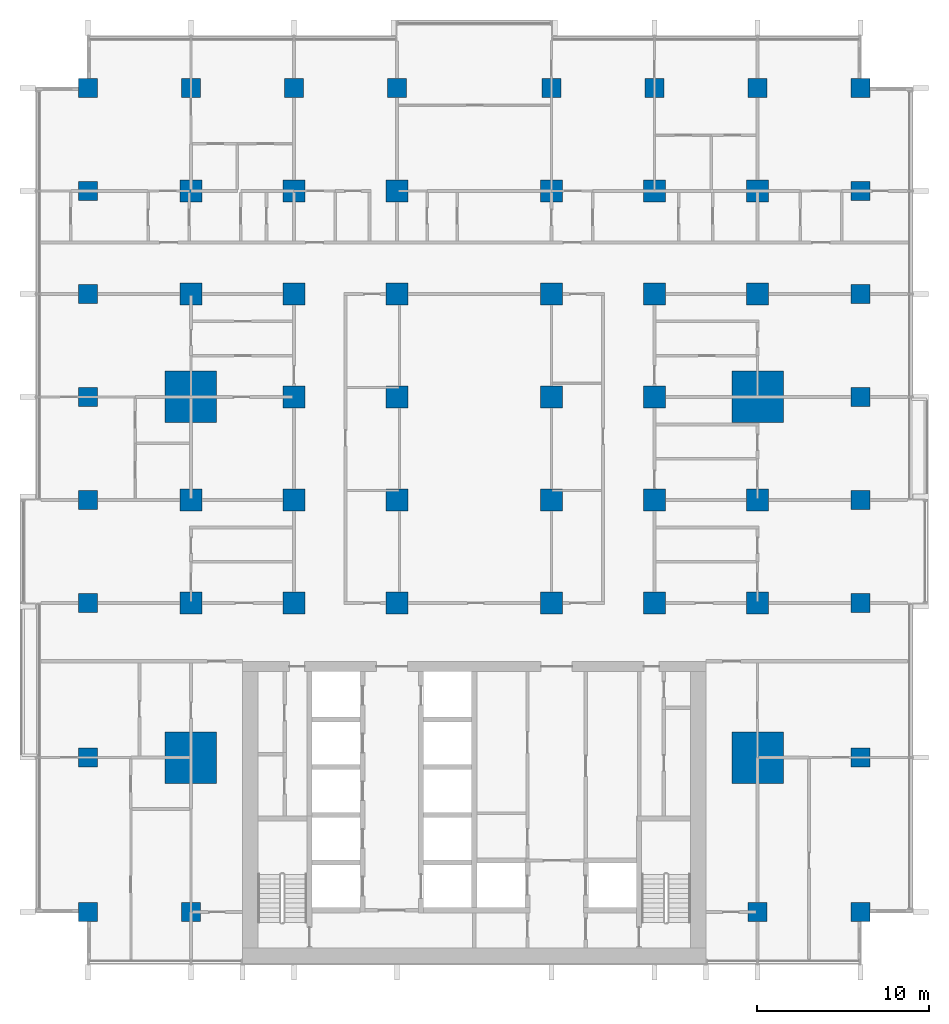
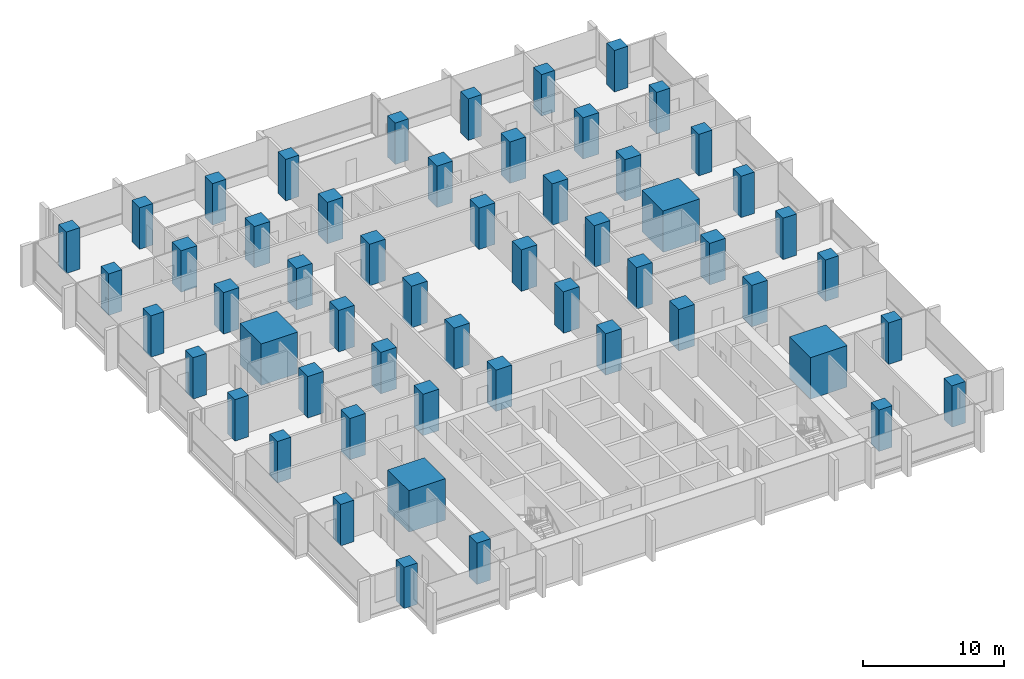
# One storey, part 1 of 18: 56 columns.
"""IFC4 building model written with IfcOpenShell, lengths in metres."""

from ifc_helpers import new_model, si_unit, direction, frame, origin, origin_2d, place, context, subcontext, project, spatial, rectangle, extrude, material, material_profile, profile_set, type_object, element, save


model = new_model("IFC4")

# Units and contexts
model_context = context("Model", 3, precision=1e-05, world=origin(), true_north=direction((0.0, 1.0)))
body_context = subcontext(model_context, "Body", "Model", "MODEL_VIEW")
ifc_project = project(units=[si_unit("LENGTHUNIT", "METRE"), si_unit("AREAUNIT", "SQUARE_METRE"), si_unit("VOLUMEUNIT", "CUBIC_METRE"), si_unit("PLANEANGLEUNIT", "RADIAN"), si_unit("MASSUNIT", "GRAM", prefix="KILO")], contexts=[model_context])

# Site, building, storey
site_placement = place(None, origin())
site = spatial("IfcSite", under=ifc_project, at=site_placement, CompositionType="ELEMENT")
building_placement = place(site_placement, origin())
building = spatial("IfcBuilding", under=site, at=building_placement, Name="Finial Court Residences", CompositionType="ELEMENT")
storey_placement = place(building_placement, frame((0.0, 0.0, 43.300048828125)))
storey = spatial("IfcBuildingStorey", under=building, at=storey_placement, Name="L09", CompositionType="ELEMENT", Elevation=43.300048828125)

# Columns
ifc_material = material(Name="Concrete C80/95", Category="concrete")
ifc_material_profile_1 = material_profile(ifc_material, rectangle(XDim=1.300048828125, YDim=1.300048828125, at=origin_2d()), Name="1300x1300")
ifc_profile_set_1 = profile_set([ifc_material_profile_1], Name="Concrete C80/95")
column_type_1 = type_object("IfcColumnType", Name="Interior column 1300x1300 Concrete C80/95", PredefinedType="COLUMN", material=ifc_profile_set_1)
for number, where, z_axis, x_axis, name in (
    (1, (-16.5, -4.5, 0.0), (0.0, 0.0, 1.0), (1.0, 0.0, 0.0), "S:COL:L09:C4"),
    (2, (-16.5, 1.5, 0.0), (0.0, 0.0, 1.0), (1.0, 0.0, 0.0), "S:COL:L09:C5"),
    (3, (-16.5, 13.5, 0.0), (0.0, 0.0, 1.0), (1.0, 0.0, 0.0), "S:COL:L09:C7"),
    (4, (-16.5, 19.5, 0.0), (0.0, 0.0, 1.0), (1.0, 0.0, 0.0), "S:COL:L09:C8"),
    (5, (-10.5, -4.5, 0.0), (0.0, 0.0, 1.0), (1.0, 0.0, 0.0), "S:COL:L09:D4"),
    (6, (-10.5, 1.5, 0.0), (0.0, 0.0, 1.0), (1.0, 0.0, 0.0), "S:COL:L09:D5"),
    (7, (-10.5, 7.5, 0.0), (0.0, 0.0, 1.0), (1.0, 0.0, 0.0), "S:COL:L09:D6"),
    (8, (-10.5, 13.5, 0.0), (0.0, 0.0, 1.0), (1.0, 0.0, 0.0), "S:COL:L09:D7"),
    (9, (-10.5, 19.5, 0.0), (0.0, 0.0, 1.0), (1.0, 0.0, 0.0), "S:COL:L09:D8"),
    (10, (-4.5, -4.5, 0.0), (0.0, 0.0, 1.0), (1.0, 0.0, 0.0), "S:COL:L09:E4"),
    (11, (-4.5, 1.5, 0.0), (0.0, 0.0, 1.0), (1.0, 0.0, 0.0), "S:COL:L09:E5"),
    (12, (-4.5, 7.5, 0.0), (0.0, 0.0, 1.0), (1.0, 0.0, 0.0), "S:COL:L09:E6"),
    (13, (-4.5, 13.5, 0.0), (0.0, 0.0, 1.0), (1.0, 0.0, 0.0), "S:COL:L09:E7"),
    (14, (-4.5, 19.5, 0.0), (0.0, 0.0, 1.0), (1.0, 0.0, 0.0), "S:COL:L09:E8"),
    (15, (4.5, -4.5, 0.0), (0.0, 0.0, 1.0), (1.0, 0.0, 0.0), "S:COL:L09:F4"),
    (16, (4.5, 1.5, 0.0), (0.0, 0.0, 1.0), (1.0, 0.0, 0.0), "S:COL:L09:F5"),
    (17, (4.5, 7.5, 0.0), (0.0, 0.0, 1.0), (1.0, 0.0, 0.0), "S:COL:L09:F6"),
    (18, (4.5, 13.5, 0.0), (0.0, 0.0, 1.0), (1.0, 0.0, 0.0), "S:COL:L09:F7"),
    (19, (4.5, 19.5, 0.0), (0.0, 0.0, 1.0), (1.0, 0.0, 0.0), "S:COL:L09:F8"),
    (20, (10.5, -4.5, 0.0), (0.0, 0.0, 1.0), (1.0, 0.0, 0.0), "S:COL:L09:G4"),
    (21, (10.5, 1.5, 0.0), (0.0, 0.0, 1.0), (1.0, 0.0, 0.0), "S:COL:L09:G5"),
    (22, (10.5, 7.5, 0.0), (0.0, 0.0, 1.0), (1.0, 0.0, 0.0), "S:COL:L09:G6"),
    (23, (10.5, 13.5, 0.0), (0.0, 0.0, 1.0), (1.0, 0.0, 0.0), "S:COL:L09:G7"),
    (24, (10.5, 19.5, 0.0), (0.0, 0.0, 1.0), (1.0, 0.0, 0.0), "S:COL:L09:G8"),
    (25, (16.5, -4.5, 0.0), (0.0, 0.0, 1.0), (1.0, 0.0, 0.0), "S:COL:L09:H4"),
    (26, (16.5, 1.5, 0.0), (0.0, 0.0, 1.0), (1.0, 0.0, 0.0), "S:COL:L09:H5"),
    (27, (16.5, 13.5, 0.0), (0.0, 0.0, 1.0), (1.0, 0.0, 0.0), "S:COL:L09:H7"),
    (28, (16.5, 19.5, 0.0), (0.0, 0.0, 1.0), (1.0, 0.0, 0.0), "S:COL:L09:H8"),
):
    element("IfcColumn", number, at=place(storey_placement, frame(where, z_axis=z_axis, x_axis=x_axis)), inside=storey, type_object=column_type_1, Name=name, PredefinedType="COLUMN", context=body_context, shape_type="SweptSolid", body=[
        extrude(rectangle(XDim=1.300048828125, YDim=1.300048828125, at=origin_2d()), origin(), (0.0, 0.0, 1.0), 3.599853515625),
    ])
ifc_material_profile_2 = material_profile(ifc_material, rectangle(XDim=3.0, YDim=3.0, at=origin_2d()), Name="3000x3000")
ifc_profile_set_2 = profile_set([ifc_material_profile_2], Name="Concrete C80/95")
column_type_2 = type_object("IfcColumnType", Name="Mega column 3000x3000 Concrete C80/95", PredefinedType="COLUMN", material=ifc_profile_set_2)
for number, where, z_axis, x_axis, name in (
    (29, (-16.5, -13.5, 0.0), (0.0, 0.0, 1.0), (1.0, 0.0, 0.0), "S:COL:L09:C3"),
    (30, (-16.5, 7.5, 0.0), (0.0, 0.0, 1.0), (1.0, 0.0, 0.0), "S:COL:L09:C6"),
    (31, (16.5, -13.5, 0.0), (0.0, 0.0, 1.0), (1.0, 0.0, 0.0), "S:COL:L09:H3"),
    (32, (16.5, 7.5, 0.0), (0.0, 0.0, 1.0), (1.0, 0.0, 0.0), "S:COL:L09:H6"),
):
    element("IfcColumn", number, at=place(storey_placement, frame(where, z_axis=z_axis, x_axis=x_axis)), inside=storey, type_object=column_type_2, Name=name, PredefinedType="COLUMN", context=body_context, shape_type="SweptSolid", body=[
        extrude(rectangle(XDim=3.0, YDim=3.0, at=origin_2d()), origin(), (0.0, 0.0, 1.0), 3.599853515625),
    ])
ifc_material_profile_3 = material_profile(ifc_material, rectangle(XDim=1.10009765625, YDim=1.10009765625, at=origin_2d()), Name="1100x1100")
ifc_profile_set_3 = profile_set([ifc_material_profile_3], Name="Concrete C80/95")
column_type_3 = type_object("IfcColumnType", Name="Perimeter column 1100x1100 Concrete C80/95", PredefinedType="COLUMN", material=ifc_profile_set_3)
for number, where, z_axis, x_axis, name in (
    (33, (-22.5, -22.5, 0.0), (0.0, 0.0, 1.0), (1.0, 0.0, 0.0), "S:COL:L09:B2"),
    (34, (-22.5, -13.5, 0.0), (0.0, 0.0, 1.0), (1.0, 0.0, 0.0), "S:COL:L09:B3"),
    (35, (-22.5, -4.5, 0.0), (0.0, 0.0, 1.0), (1.0, 0.0, 0.0), "S:COL:L09:B4"),
    (36, (-22.5, 1.5, 0.0), (0.0, 0.0, 1.0), (1.0, 0.0, 0.0), "S:COL:L09:B5"),
    (37, (-22.5, 7.5, 0.0), (0.0, 0.0, 1.0), (1.0, 0.0, 0.0), "S:COL:L09:B6"),
    (38, (-22.5, 13.5, 0.0), (0.0, 0.0, 1.0), (1.0, 0.0, 0.0), "S:COL:L09:B7"),
    (39, (-22.5, 19.5, 0.0), (0.0, 0.0, 1.0), (1.0, 0.0, 0.0), "S:COL:L09:B8"),
    (40, (-22.5, 25.5, 0.0), (0.0, 0.0, 1.0), (1.0, 0.0, 0.0), "S:COL:L09:B9"),
    (41, (-16.5, -22.5, 0.0), (0.0, 0.0, 1.0), (1.0, 0.0, 0.0), "S:COL:L09:C2"),
    (42, (-16.5, 25.5, 0.0), (0.0, 0.0, 1.0), (1.0, 0.0, 0.0), "S:COL:L09:C9"),
    (43, (-10.5, 25.5, 0.0), (0.0, 0.0, 1.0), (1.0, 0.0, 0.0), "S:COL:L09:D9"),
    (44, (-4.5, 25.5, 0.0), (0.0, 0.0, 1.0), (1.0, 0.0, 0.0), "S:COL:L09:E9"),
    (45, (4.5, 25.5, 0.0), (0.0, 0.0, 1.0), (1.0, 0.0, 0.0), "S:COL:L09:F9"),
    (46, (10.5, 25.5, 0.0), (0.0, 0.0, 1.0), (1.0, 0.0, 0.0), "S:COL:L09:G9"),
    (47, (16.5, -22.5, 0.0), (0.0, 0.0, 1.0), (1.0, 0.0, 0.0), "S:COL:L09:H2"),
    (48, (16.5, 25.5, 0.0), (0.0, 0.0, 1.0), (1.0, 0.0, 0.0), "S:COL:L09:H9"),
    (49, (22.5, -22.5, 0.0), (0.0, 0.0, 1.0), (1.0, 0.0, 0.0), "S:COL:L09:I2"),
    (50, (22.5, -13.5, 0.0), (0.0, 0.0, 1.0), (1.0, 0.0, 0.0), "S:COL:L09:I3"),
    (51, (22.5, -4.5, 0.0), (0.0, 0.0, 1.0), (1.0, 0.0, 0.0), "S:COL:L09:I4"),
    (52, (22.5, 1.5, 0.0), (0.0, 0.0, 1.0), (1.0, 0.0, 0.0), "S:COL:L09:I5"),
    (53, (22.5, 7.5, 0.0), (0.0, 0.0, 1.0), (1.0, 0.0, 0.0), "S:COL:L09:I6"),
    (54, (22.5, 13.5, 0.0), (0.0, 0.0, 1.0), (1.0, 0.0, 0.0), "S:COL:L09:I7"),
    (55, (22.5, 19.5, 0.0), (0.0, 0.0, 1.0), (1.0, 0.0, 0.0), "S:COL:L09:I8"),
    (56, (22.5, 25.5, 0.0), (0.0, 0.0, 1.0), (1.0, 0.0, 0.0), "S:COL:L09:I9"),
):
    element("IfcColumn", number, at=place(storey_placement, frame(where, z_axis=z_axis, x_axis=x_axis)), inside=storey, type_object=column_type_3, Name=name, PredefinedType="COLUMN", context=body_context, shape_type="SweptSolid", body=[
        extrude(rectangle(XDim=1.10009765625, YDim=1.10009765625, at=origin_2d()), origin(), (0.0, 0.0, 1.0), 3.599853515625),
    ])

save(model, "model.ifc")
